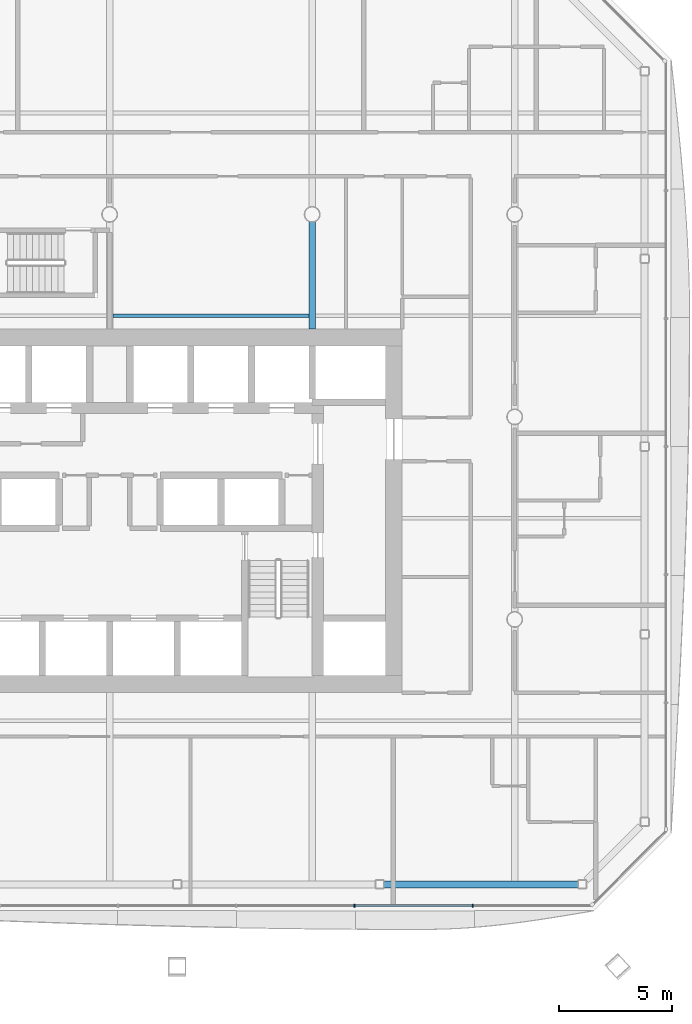
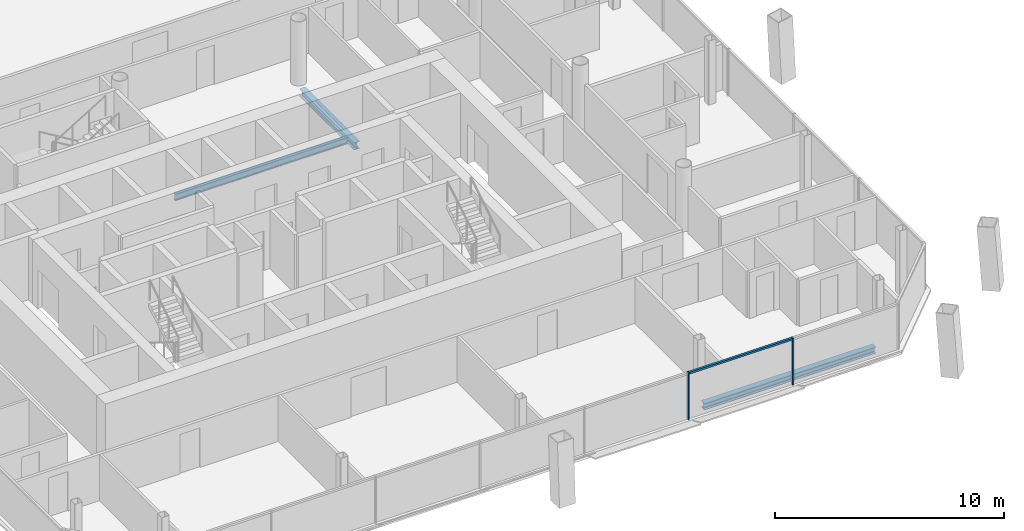
# One storey, part 6 of 17: 3 beams, 3 members, 1 element without a shape of its own.
"""IFC4 building model written with IfcOpenShell, lengths in metres."""

from ifc_helpers import new_model, si_unit, direction, frame, origin, origin_2d, place, context, subcontext, project, spatial, rectangle, i_section, extrude, material, material_profile, profile_set, type_object, element, aggregate, save


model = new_model("IFC4")

# Units and contexts
model_context = context("Model", 3, precision=1e-05, world=origin(), true_north=direction((0.0, 1.0)))
body_context = subcontext(model_context, "Body", "Model", "MODEL_VIEW")
ifc_project = project(units=[si_unit("LENGTHUNIT", "METRE"), si_unit("AREAUNIT", "SQUARE_METRE"), si_unit("VOLUMEUNIT", "CUBIC_METRE"), si_unit("PLANEANGLEUNIT", "RADIAN"), si_unit("MASSUNIT", "GRAM", prefix="KILO")], contexts=[model_context])

# Site, building, storey
site_placement = place(None, origin())
site = spatial("IfcSite", under=ifc_project, at=site_placement, CompositionType="ELEMENT")
building_placement = place(site_placement, origin())
building = spatial("IfcBuilding", under=site, at=building_placement, Name="Tskaro Facet Tower", CompositionType="ELEMENT")
storey_placement = place(building_placement, frame((0.0, 0.0, 158.89990234375)))
storey = spatial("IfcBuildingStorey", under=building, at=storey_placement, Name="L39", CompositionType="ELEMENT", Elevation=158.89990234375)

# Curtain wall, members
ifc_material_1 = material(Name="Bronze anodised aluminium 6063-T6", Category="aluminium")
curtain_wall_type = type_object("IfcCurtainWallType", Name="Bronze hotel curtain wall (FW2)", PredefinedType="NOTDEFINED", material=ifc_material_1)
curtain_wall_placement = place(storey_placement, origin())
curtain_wall = element("IfcCurtainWall", 1, at=curtain_wall_placement, inside=storey, type_object=curtain_wall_type, Name="FW2 south facet L39", PredefinedType="NOTDEFINED")
ifc_material_profile_1 = material_profile(ifc_material_1, rectangle(XDim=0.06005859375, YDim=0.14990234375, at=origin_2d()), Name="Mullion 60x150")
ifc_profile_set_1 = profile_set([ifc_material_profile_1], Name="Bronze anodised aluminium 6063-T6")
member_type_1 = type_object("IfcMemberType", Name="FW2 bronze mullion 60x150", PredefinedType="MULLION", material=ifc_profile_set_1)
member_1_placement = place(storey_placement, frame((10.88232421875, -21.72412109375, 0.0), z_axis=(0.0, 0.0, 1.0), x_axis=(1.0, 0.0, 0.0)))
member_1 = element("IfcMember", 2, at=member_1_placement, type_object=member_type_1, Name="FW2 south mullion 5", PredefinedType="MULLION", context=body_context, shape_type="SweptSolid", body=[
    extrude(rectangle(XDim=0.06005859375, YDim=0.14990234375, at=origin_2d()), origin(), (0.0, 0.0, 1.0), 2.489990234375),
])
member_2_placement = place(storey_placement, frame((16.13720703125, -21.72412109375, 0.0), z_axis=(0.0, 0.0, 1.0), x_axis=(1.0, 0.0, 0.0)))
member_2 = element("IfcMember", 3, at=member_2_placement, type_object=member_type_1, Name="FW2 south mullion 6", PredefinedType="MULLION", context=body_context, shape_type="SweptSolid", body=[
    extrude(rectangle(XDim=0.06005859375, YDim=0.14990234375, at=origin_2d()), origin(), (0.0, 0.0, 1.0), 2.489990234375),
])
ifc_material_profile_2 = material_profile(ifc_material_1, rectangle(XDim=0.110107421875, YDim=0.10009765625, at=origin_2d()), Name="Transom 110x100")
ifc_profile_set_2 = profile_set([ifc_material_profile_2], Name="Bronze anodised aluminium 6063-T6")
member_type_2 = type_object("IfcMemberType", Name="FW2 bronze transom 110x100", PredefinedType="USERDEFINED", material=ifc_profile_set_2)
member_3_placement = place(storey_placement, frame((10.912353515625, -21.72412109375, 2.440185546875), z_axis=(1.0, 0.0, 0.0), x_axis=(0.0, 1.0, 0.0)))
member_3 = element("IfcMember", 4, at=member_3_placement, type_object=member_type_2, Name="FW2 south transom 6.1", ObjectType="TRANSOM", PredefinedType="USERDEFINED", context=body_context, shape_type="SweptSolid", body=[
    extrude(rectangle(XDim=0.110107421875, YDim=0.10009765625, at=origin_2d()), origin(), (0.0, 0.0, 1.0), 5.19482421875),
])
aggregate(curtain_wall, [member_1, member_2, member_3])

# Beams
ifc_material_2 = material(Name="Steel S355J2", Category="steel")
ifc_material_profile_3 = material_profile(ifc_material_2, i_section(OverallWidth=0.300048828125, OverallDepth=0.340087890625, WebThickness=0.011962890625, FlangeThickness=0.021484375, FilletRadius=0.027099609375, at=origin_2d()), Name="HE 340 B")
ifc_profile_set_3 = profile_set([ifc_material_profile_3], Name="Steel S355J2")
beam_type_1 = type_object("IfcBeamType", Name="HE 340 B ring beam", PredefinedType="BEAM", material=ifc_profile_set_3)
beam_1_placement = place(storey_placement, frame((12.179931640625, -20.77392578125, -0.309814453125), z_axis=(1.0, 0.0, 0.0), x_axis=(0.0, 1.0, 0.0)))
element("IfcBeam", 5, at=beam_1_placement, inside=storey, type_object=beam_type_1, Name="HE 340 B EB4-3", PredefinedType="BEAM", context=body_context, shape_type="SweptSolid", body=[
    extrude(i_section(OverallWidth=0.300048828125, OverallDepth=0.340087890625, WebThickness=0.011962890625, FlangeThickness=0.021484375, FilletRadius=0.027099609375, at=origin_2d()), origin(), (0.0, 0.0, 1.0), 8.63916015625),
])
ifc_material_profile_4 = material_profile(ifc_material_2, i_section(OverallWidth=0.300048828125, OverallDepth=0.389892578125, WebThickness=0.010986328125, FlangeThickness=0.01904296875, FilletRadius=0.027099609375, at=origin_2d()), Name="HE 400 A")
ifc_profile_set_4 = profile_set([ifc_material_profile_4], Name="Steel S355J2")
beam_type_2 = type_object("IfcBeamType", Name="HE 400 A girder", PredefinedType="BEAM", material=ifc_profile_set_4)
beam_2_placement = place(storey_placement, frame((9.0, 3.89990234375, -0.3349609375), z_axis=(0.0, 1.0, 0.0), x_axis=(-1.0, 0.0, 0.0)))
element("IfcBeam", 6, at=beam_2_placement, inside=storey, type_object=beam_type_2, Name="HE 400 A GB5-2-3", PredefinedType="BEAM", context=body_context, shape_type="SweptSolid", body=[
    extrude(i_section(OverallWidth=0.300048828125, OverallDepth=0.389892578125, WebThickness=0.010986328125, FlangeThickness=0.01904296875, FilletRadius=0.027099609375, at=origin_2d()), origin(), (0.0, 0.0, 1.0), 4.774658203125),
])
ifc_material_profile_5 = material_profile(ifc_material_2, i_section(OverallWidth=0.169921875, OverallDepth=0.360107421875, WebThickness=0.008056640625, FlangeThickness=0.0126953125, FilletRadius=0.01806640625, at=origin_2d()), Name="IPE 360")
ifc_profile_set_5 = profile_set([ifc_material_profile_5], Name="Steel S355J2")
beam_type_3 = type_object("IfcBeamType", Name="IPE 360 secondary beam", PredefinedType="BEAM", material=ifc_profile_set_5)
beam_3_placement = place(storey_placement, frame((0.14990234375, 4.5, -0.31982421875), z_axis=(1.0, 0.0, 0.0), x_axis=(0.0, 1.0, 0.0)))
element("IfcBeam", 7, at=beam_3_placement, inside=storey, type_object=beam_type_3, Name="IPE 360 SB4a-3-3", PredefinedType="BEAM", context=body_context, shape_type="SweptSolid", body=[
    extrude(i_section(OverallWidth=0.169921875, OverallDepth=0.360107421875, WebThickness=0.008056640625, FlangeThickness=0.0126953125, FilletRadius=0.01806640625, at=origin_2d()), origin(), (0.0, 0.0, 1.0), 8.7001953125),
])

save(model, "model.ifc")
